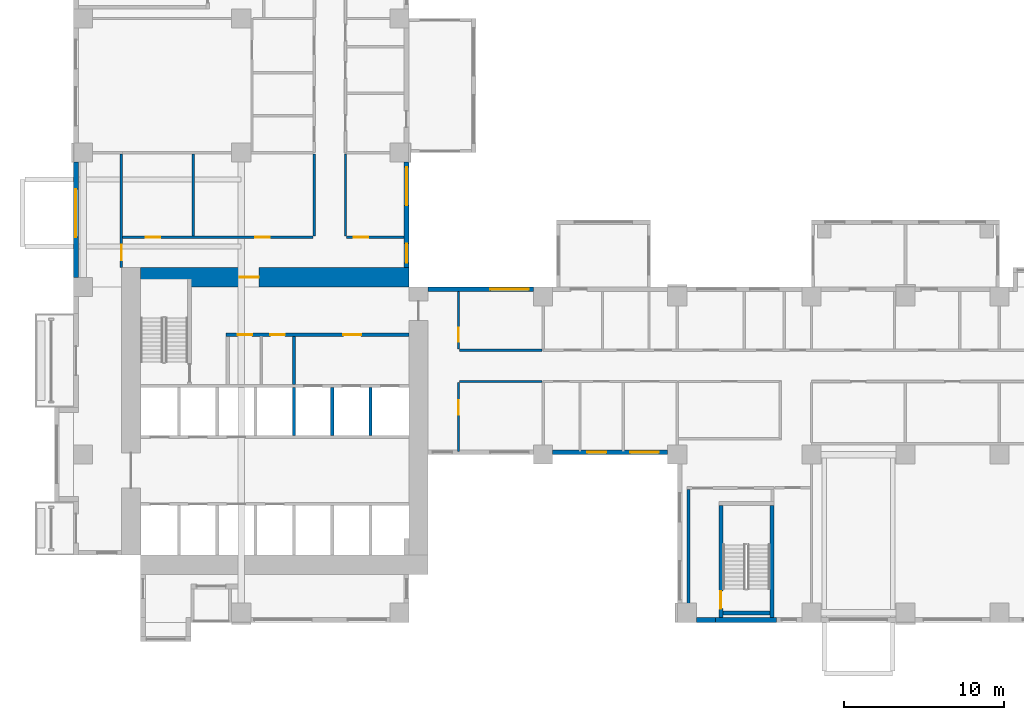
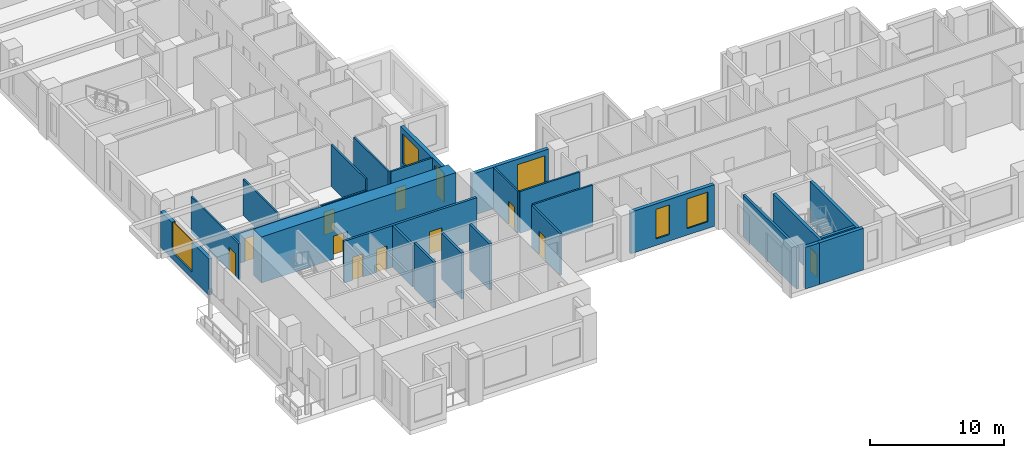
# One storey, part 3 of 14: 26 walls, 11 doors, 6 windows, 17 openings.
"""IFC4 building model written with IfcOpenShell, lengths in metres."""

import ifcopenshell
import ifcopenshell.guid

model = None  # the IFC model being written
_history = None  # IfcOwnerHistory: only IFC2X3 demands one
_inside = {}  # id of a spatial element -> (the spatial element, [elements in it])
_under = {}  # id of a project, library or spatial element -> (it, [spatial elements below it])
_declared = {}  # id of a project -> (the project, [libraries it declares])
_typed = {}  # id of a type object -> (the type object, [elements of that type])
_made_of = {}  # id of a material, layer set ... -> (it, [elements and type objects made of it])


def new_model(schema):
    """Start an empty IFC model of exactly this schema.

    Asked for "IFC4X3", IfcOpenShell would pick the latest addendum, in which some entities
    have other attributes; the version numbers below select the first issue.
    IFC2X3 requires an IfcOwnerHistory on every rooted entity: one is made here for all.
    """
    global model, _history
    if schema == "IFC4X3":
        model = ifcopenshell.file(schema_version=(4, 3, 0, 0))
    else:
        model = ifcopenshell.file(schema=schema)
    _inside.clear()
    _under.clear()
    _declared.clear()
    _typed.clear()
    _made_of.clear()
    _history = None
    if model.schema == "IFC2X3":
        org = make("IfcOrganization", Name="unknown")
        user = make(
            "IfcPersonAndOrganization",
            ThePerson=make("IfcPerson", FamilyName="unknown"),
            TheOrganization=org,
        )
        app = make(
            "IfcApplication",
            ApplicationDeveloper=org,
            Version="unknown",
            ApplicationFullName="unknown",
            ApplicationIdentifier="unknown",
        )
        _history = make(
            "IfcOwnerHistory",
            OwningUser=user,
            OwningApplication=app,
            ChangeAction="ADDED",
            CreationDate=0,
        )
    return model


def make(cls, **values):
    """One entity of the class cls with the attributes given. An attribute that is None is left unset."""
    return model.create_entity(
        cls, **{name: value for name, value in values.items() if value is not None}
    )


def rooted(cls, **values):
    """An entity with a GlobalId (a new one), such as an element, a storey or a relation."""
    return make(cls, GlobalId=ifcopenshell.guid.new(), OwnerHistory=_history, **values)


def si_unit(unit_type, name, prefix=None):
    """IfcSIUnit, for example si_unit("LENGTHUNIT", "METRE", prefix="MILLI")."""
    return make("IfcSIUnit", UnitType=unit_type, Prefix=prefix, Name=name)


def assignment(units):
    """IfcUnitAssignment: the units of a project."""
    return None if units is None else make("IfcUnitAssignment", Units=units)


def point(xyz):
    """IfcCartesianPoint."""
    return None if xyz is None else make("IfcCartesianPoint", Coordinates=xyz)


def direction(xyz):
    """IfcDirection."""
    return None if xyz is None else make("IfcDirection", DirectionRatios=xyz)


def frame(location, z_axis=None, x_axis=None):
    """IfcAxis2Placement3D, a coordinate frame: its origin and axes. An axis left out is left unset."""
    return make(
        "IfcAxis2Placement3D",
        Location=point(location),
        Axis=direction(z_axis),
        RefDirection=direction(x_axis),
    )


def frame_2d(location, x_axis=None):
    """IfcAxis2Placement2D, a coordinate frame in the plane: its origin and x axis."""
    return make(
        "IfcAxis2Placement2D", Location=point(location), RefDirection=direction(x_axis)
    )


def origin():
    """The frame at (0, 0, 0) with its axes left unset."""
    return frame((0.0, 0.0, 0.0))


def place(relative_to, where):
    """IfcLocalPlacement: puts the frame where relative to a parent placement (None: the world)."""
    return make(
        "IfcLocalPlacement", PlacementRelTo=relative_to, RelativePlacement=where
    )


def context(
    kind, dimensions, precision=None, world=None, true_north=None, identifier=None
):
    """IfcGeometricRepresentationContext, for example the 3D "Model" context."""
    return make(
        "IfcGeometricRepresentationContext",
        ContextIdentifier=identifier,
        ContextType=kind,
        CoordinateSpaceDimension=dimensions,
        Precision=precision,
        WorldCoordinateSystem=world,
        TrueNorth=true_north,
    )


def subcontext(parent, identifier, kind, view, scale=None):
    """IfcGeometricRepresentationSubContext, for example "Body" below "Model"."""
    return make(
        "IfcGeometricRepresentationSubContext",
        ContextIdentifier=identifier,
        ContextType=kind,
        ParentContext=parent,
        TargetScale=scale,
        TargetView=view,
    )


def project(units=None, contexts=None):
    """IfcProject with its units and contexts."""
    return rooted(
        "IfcProject",
        Name="project",
        RepresentationContexts=contexts,
        UnitsInContext=assignment(units),
    )


def spatial(cls, under=None, at=None, **own):
    """A site, building, storey or space (cls), placed at a placement, below another one or the project."""
    s = rooted(cls, ObjectPlacement=at, **own)
    if under is not None:
        _under.setdefault(under.id(), (under, []))[1].append(s)
    return s


def profile(cls, at=None, kind="AREA", **sizes):
    """A parametric profile (cls). Its sizes go by their IFC names, for example OverallWidth=200.0."""
    return make(cls, ProfileType=kind, Position=at, **sizes)


def rectangle(**sizes):
    """IfcRectangleProfileDef."""
    return profile("IfcRectangleProfileDef", **sizes)


def extrude(swept, where, along, depth):
    """IfcExtrudedAreaSolid: the profile swept, set in the frame where, extruded along a direction by depth."""
    return make(
        "IfcExtrudedAreaSolid",
        SweptArea=swept,
        Position=where,
        ExtrudedDirection=direction(along),
        Depth=depth,
    )


def shape(context_of_items, identifier, shape_type, items):
    """IfcShapeRepresentation: the items that make up one representation, for example the "Body"."""
    return make(
        "IfcShapeRepresentation",
        ContextOfItems=context_of_items,
        RepresentationIdentifier=identifier,
        RepresentationType=shape_type,
        Items=items,
    )


def source(mapping_origin, context_of_items, identifier, shape_type, items):
    """IfcRepresentationMap: a shape defined once, which mapped items show again and again."""
    return make(
        "IfcRepresentationMap",
        MappingOrigin=mapping_origin,
        MappedRepresentation=shape(context_of_items, identifier, shape_type, items),
    )


def transform(
    local_origin,
    x_axis=None,
    y_axis=None,
    z_axis=None,
    scale=None,
    scale2=None,
    scale3=None,
    uniform=True,
):
    """IfcCartesianTransformationOperator3D, or its non-uniform kind. x_axis, y_axis, z_axis: its Axis1, 2, 3."""
    if uniform:
        return make(
            "IfcCartesianTransformationOperator3D",
            Axis1=direction(x_axis),
            Axis2=direction(y_axis),
            LocalOrigin=point(local_origin),
            Scale=scale,
            Axis3=direction(z_axis),
        )
    return make(
        "IfcCartesianTransformationOperator3DnonUniform",
        Axis1=direction(x_axis),
        Axis2=direction(y_axis),
        LocalOrigin=point(local_origin),
        Scale=scale,
        Axis3=direction(z_axis),
        Scale2=scale2,
        Scale3=scale3,
    )


def mapped(mapping_source, mapping_target):
    """IfcMappedItem: shows the shape of a source again, moved by a transform."""
    return make(
        "IfcMappedItem", MappingSource=mapping_source, MappingTarget=mapping_target
    )


def material(Name=None, Category=None):
    """IfcMaterial."""
    return make("IfcMaterial", Name=Name, Category=Category)


def layer(
    of_material, thickness, ventilated=None, Name=None, Category=None, Priority=None
):
    """IfcMaterialLayer: one layer of a wall or slab, of a material (None: an air gap)."""
    return make(
        "IfcMaterialLayer",
        Material=of_material,
        LayerThickness=thickness,
        IsVentilated=ventilated,
        Name=Name,
        Category=Category,
        Priority=Priority,
    )


def layer_set(layers, Name=None):
    """IfcMaterialLayerSet."""
    return make("IfcMaterialLayerSet", MaterialLayers=layers, LayerSetName=Name)


def made_of(thing, what):
    """Note that an element or type object is made of a material, layer set ...; save() writes the relation."""
    if what is not None:
        _made_of.setdefault(what.id(), (what, []))[1].append(thing)
    return thing


def type_object(cls, material=None, **own):
    """A type object (cls), such as IfcWallType, which elements share."""
    return made_of(rooted(cls, **own), material)


def element(
    cls,
    number,
    at=None,
    inside=None,
    cuts=None,
    type_object=None,
    material=None,
    context=None,
    identifier="Body",
    shape_type=None,
    held_by="IfcProductDefinitionShape",
    body=None,
    shapes=None,
    **own,
):
    """One element of the class cls, such as IfcWall. Its Tag is "e" and its number.

    at: its placement. inside: the storey or other place that contains it. cuts: it is an
    opening in that element (IfcRelVoidsElement). A single representation is given by context,
    identifier, shape_type and body (its items); several are given by shapes. held_by: the class
    of the entity that holds the representations. save() writes the other relations.
    """
    e = rooted(cls, Tag="e%d" % number, ObjectPlacement=at, **own)
    if body is not None:
        shapes = [shape(context, identifier, shape_type, body)]
    if shapes is not None:
        e.Representation = make(held_by, Representations=shapes)
    if inside is not None:
        _inside.setdefault(inside.id(), (inside, []))[1].append(e)
    if cuts is not None:
        rooted(
            "IfcRelVoidsElement", RelatingBuildingElement=cuts, RelatedOpeningElement=e
        )
    if type_object is not None:
        _typed.setdefault(type_object.id(), (type_object, []))[1].append(e)
    return made_of(e, material)


def fill(opening, filler):
    """IfcRelFillsElement: the door or window that sits in an opening."""
    return rooted(
        "IfcRelFillsElement",
        RelatingOpeningElement=opening,
        RelatedBuildingElement=filler,
    )


def aggregate(whole, parts):
    """IfcRelAggregates: a whole, such as a stair, and the parts it consists of."""
    return rooted("IfcRelAggregates", RelatingObject=whole, RelatedObjects=parts)


def save(model, path):
    """Write the relations noted so far, then the file.

    IfcRelAggregates (storeys below a building ...), IfcRelContainedInSpatialStructure (elements
    in a storey), IfcRelDefinesByType, IfcRelAssociatesMaterial and IfcRelDeclares: one each for
    every whole, place, type object, material and project.
    """
    for whole, parts in _under.values():
        aggregate(whole, parts)
    for where, things in _inside.values():
        rooted(
            "IfcRelContainedInSpatialStructure",
            RelatedElements=things,
            RelatingStructure=where,
        )
    for kind, things in _typed.values():
        rooted("IfcRelDefinesByType", RelatedObjects=things, RelatingType=kind)
    for what, things in _made_of.values():
        rooted("IfcRelAssociatesMaterial", RelatedObjects=things, RelatingMaterial=what)
    for by, libraries in _declared.values():
        rooted("IfcRelDeclares", RelatingContext=by, RelatedDefinitions=libraries)
    model.write(path)


model = new_model("IFC4")

# Units and contexts
model_context = context("Model", 3, precision=1e-05, world=origin(), true_north=direction((0.0, 1.0)))
body_context = subcontext(model_context, "Body", "Model", "MODEL_VIEW")
ifc_project = project(units=[si_unit("LENGTHUNIT", "METRE"), si_unit("AREAUNIT", "SQUARE_METRE"), si_unit("VOLUMEUNIT", "CUBIC_METRE"), si_unit("PLANEANGLEUNIT", "RADIAN"), si_unit("MASSUNIT", "GRAM", prefix="KILO")], contexts=[model_context])

# Site, building, storey
site_placement = place(None, origin())
site = spatial("IfcSite", under=ifc_project, at=site_placement, CompositionType="ELEMENT")
building_placement = place(site_placement, origin())
building = spatial("IfcBuilding", under=site, at=building_placement, Name="Aurelian Terraces", CompositionType="ELEMENT")
storey_placement = place(building_placement, frame((0.0, 0.0, 53.1)))
storey = spatial("IfcBuildingStorey", under=building, at=storey_placement, Name="L10", CompositionType="ELEMENT", Elevation=53.1)

# Wall, opening, door
ifc_material_1 = material(Name="Concrete fc' 83 MPa", Category="concrete")
ifc_layer_1 = layer(ifc_material_1, 1.2)
ifc_layer_set_1 = layer_set([ifc_layer_1], Name="CORE WALL 1200 FC83")
wall_type_1 = type_object("IfcWallType", Name="CORE WALL 1200 FC83", PredefinedType="SHEAR", material=ifc_layer_set_1)
shared_shape_1 = source(origin(), body_context, "Body", "SweptSolid", [
    extrude(rectangle(XDim=16.8, YDim=1.2, at=frame_2d((8.4, 0.0))), origin(), (0.0, 0.0, 1.0), 4.2),
])
wall_1_placement = place(storey_placement, frame((4.2, 21.6, 0.0), z_axis=(0.0, 0.0, 1.0), x_axis=(1.0, 0.0, 0.0)))
wall_1 = element("IfcWall", 1, at=wall_1_placement, inside=storey, type_object=wall_type_1, Name="Core wall N L10", PredefinedType="SHEAR", context=body_context, shape_type="MappedRepresentation", body=[
    mapped(shared_shape_1, transform((0.0, 0.0, 0.0), scale=1.0)),
])
shared_shape_2 = source(origin(), body_context, "Body", "SweptSolid", [
    extrude(rectangle(XDim=1.2, YDim=2.1, at=frame_2d((0.6, 1.05))), frame((0.0, 0.61, 0.0), z_axis=(0.0, -1.0, 0.0), x_axis=(1.0, 0.0, 0.0)), (0.0, 0.0, 1.0), 1.22),
])
opening_1_placement = place(wall_1_placement, frame((6.2, 0.0, 0.0)))
opening_1 = element("IfcOpeningElement", 2, at=opening_1_placement, cuts=wall_1, Name="Opening 61321", PredefinedType="OPENING", context=body_context, shape_type="MappedRepresentation", body=[
    mapped(shared_shape_2, transform((0.0, 0.0, 0.0), scale=1.0)),
])
ifc_material_2 = material(Name="Steel door leaf", Category="steel")
door_type_1 = type_object("IfcDoorType", Name="Core fire door 1200x2100", OperationType="SINGLE_SWING_LEFT", PredefinedType="DOOR", material=ifc_material_2)
shared_shape_3 = source(origin(), body_context, "Body", "SweptSolid", [
    extrude(rectangle(XDim=1.2, YDim=2.1, at=frame_2d((0.6, 1.05))), frame((0.0, 0.025, 0.0), z_axis=(0.0, -1.0, 0.0), x_axis=(1.0, 0.0, 0.0)), (0.0, 0.0, 1.0), 0.05),
])
door_1_placement = place(opening_1_placement, origin())
door_1 = element("IfcDoor", 3, at=door_1_placement, inside=storey, type_object=door_type_1, Name="Core door 61321", OperationType="SINGLE_SWING_LEFT", OverallHeight=2.1, OverallWidth=1.2, PredefinedType="DOOR", context=body_context, shape_type="MappedRepresentation", body=[
    mapped(shared_shape_3, transform((0.0, 0.0, 0.0), scale=1.0)),
])
fill(opening_1, door_1)

# Wall, openings, windows
ifc_material_3 = material(Name="Terracotta rainscreen cladding", Category="masonry")
ifc_layer_2 = layer(ifc_material_3, 0.3)
ifc_layer_set_2 = layer_set([ifc_layer_2], Name="EW-300")
wall_type_2 = type_object("IfcWallType", Name="EW-300", PredefinedType="STANDARD", material=ifc_layer_set_2)
shared_shape_4 = source(origin(), body_context, "Body", "SweptSolid", [
    extrude(rectangle(XDim=7.2, YDim=0.3, at=frame_2d((3.6, 0.0))), origin(), (0.0, 0.0, 1.0), 3.8),
])
wall_2_placement = place(storey_placement, frame((30.0, 10.65, 0.0), z_axis=(0.0, 0.0, 1.0), x_axis=(1.0, 0.0, 0.0)))
wall_2 = element("IfcWall", 4, at=wall_2_placement, inside=storey, type_object=wall_type_2, Name="External wall L10 F03.7", PredefinedType="STANDARD", context=body_context, shape_type="MappedRepresentation", body=[
    mapped(shared_shape_4, transform((0.0, 0.0, 0.0), scale=1.0)),
])
shared_shape_5 = source(origin(), body_context, "Body", "SweptSolid", [
    extrude(rectangle(XDim=1.8, YDim=2.7, at=frame_2d((0.9, 1.35))), frame((0.0, 0.16, 0.0), z_axis=(0.0, -1.0, 0.0), x_axis=(1.0, 0.0, 0.0)), (0.0, 0.0, 1.0), 0.32),
])
opening_2_placement = place(wall_2_placement, frame((4.839, 0.0, 0.6)))
opening_2 = element("IfcOpeningElement", 5, at=opening_2_placement, cuts=wall_2, Name="Opening W1827", PredefinedType="OPENING", context=body_context, shape_type="MappedRepresentation", body=[
    mapped(shared_shape_5, transform((0.0, 0.0, 0.0), scale=1.0)),
])
shared_shape_6 = source(origin(), body_context, "Body", "SweptSolid", [
    extrude(rectangle(XDim=1.2, YDim=2.7, at=frame_2d((0.6, 1.35))), frame((0.0, 0.16, 0.0), z_axis=(0.0, -1.0, 0.0), x_axis=(1.0, 0.0, 0.0)), (0.0, 0.0, 1.0), 0.32),
])
opening_3_placement = place(wall_2_placement, frame((2.1523, 0.0, 0.6)))
opening_3 = element("IfcOpeningElement", 6, at=opening_3_placement, cuts=wall_2, Name="Opening W1227", PredefinedType="OPENING", context=body_context, shape_type="MappedRepresentation", body=[
    mapped(shared_shape_6, transform((0.0, 0.0, 0.0), scale=1.0)),
])
ifc_material_4 = material(Name="Clear glazing", Category="glass")
window_type_1 = type_object("IfcWindowType", Name="W-1800x2700", PartitioningType="SINGLE_PANEL", PredefinedType="WINDOW", material=ifc_material_4)
shared_shape_7 = source(origin(), body_context, "Body", "SweptSolid", [
    extrude(rectangle(XDim=1.8, YDim=2.7, at=frame_2d((0.9, 1.35))), frame((0.0, 0.03, 0.0), z_axis=(0.0, -1.0, 0.0), x_axis=(1.0, 0.0, 0.0)), (0.0, 0.0, 1.0), 0.06),
])
window_1_placement = place(opening_2_placement, origin())
window_1 = element("IfcWindow", 7, at=window_1_placement, inside=storey, type_object=window_type_1, Name="Window L10 L10-F03-07-1", OverallHeight=2.7, OverallWidth=1.8, PartitioningType="SINGLE_PANEL", PredefinedType="WINDOW", context=body_context, shape_type="MappedRepresentation", body=[
    mapped(shared_shape_7, transform((0.0, 0.0, 0.0), scale=1.0)),
])
fill(opening_2, window_1)
window_type_2 = type_object("IfcWindowType", Name="W-1200x2700", PartitioningType="SINGLE_PANEL", PredefinedType="WINDOW", material=ifc_material_4)
shared_shape_8 = source(origin(), body_context, "Body", "SweptSolid", [
    extrude(rectangle(XDim=1.2, YDim=2.7, at=frame_2d((0.6, 1.35))), frame((0.0, 0.03, 0.0), z_axis=(0.0, -1.0, 0.0), x_axis=(1.0, 0.0, 0.0)), (0.0, 0.0, 1.0), 0.06),
])
window_2_placement = place(opening_3_placement, origin())
window_2 = element("IfcWindow", 8, at=window_2_placement, inside=storey, type_object=window_type_2, Name="Window L10 L10-F03-07-G0-6", OverallHeight=2.7, OverallWidth=1.2, PartitioningType="SINGLE_PANEL", PredefinedType="WINDOW", context=body_context, shape_type="MappedRepresentation", body=[
    mapped(shared_shape_8, transform((0.0, 0.0, 0.0), scale=1.0)),
])
fill(opening_3, window_2)

# Walls
shared_shape_9 = source(origin(), body_context, "Body", "SweptSolid", [
    extrude(rectangle(XDim=1.2, YDim=0.3, at=frame_2d((0.6, 0.0))), origin(), (0.0, 0.0, 1.0), 3.8),
])
wall_3_placement = place(storey_placement, frame((39.0, 0.15, 0.0), z_axis=(0.0, 0.0, 1.0), x_axis=(1.0, 0.0, 0.0)))
element("IfcWall", 9, at=wall_3_placement, inside=storey, type_object=wall_type_2, Name="External wall L10 F05.9", PredefinedType="STANDARD", context=body_context, shape_type="MappedRepresentation", body=[
    mapped(shared_shape_9, transform((0.0, 0.0, 0.0), scale=1.0)),
])
ifc_material_5 = material(Name="Concrete fc' 40 MPa", Category="concrete")
ifc_layer_3 = layer(ifc_material_5, 0.3)
ifc_layer_set_3 = layer_set([ifc_layer_3], Name="STAIR BAY WALL 300")
wall_type_3 = type_object("IfcWallType", Name="STAIR BAY WALL 300", PredefinedType="SOLIDWALL", material=ifc_layer_set_3)
shared_shape_10 = source(origin(), body_context, "Body", "SweptSolid", [
    extrude(rectangle(XDim=3.8, YDim=0.3, at=frame_2d((1.9, 0.0))), origin(), (0.0, 0.0, 1.0), 3.8),
])
wall_4_placement = place(storey_placement, frame((40.2, 0.15, 0.0), z_axis=(0.0, 0.0, 1.0), x_axis=(1.0, 0.0, 0.0)))
element("IfcWall", 10, at=wall_4_placement, inside=storey, type_object=wall_type_3, Name="Stair bay wall L10 F05.9", PredefinedType="SOLIDWALL", context=body_context, shape_type="MappedRepresentation", body=[
    mapped(shared_shape_10, transform((0.0, 0.0, 0.0), scale=1.0)),
])

# Wall, opening, window
shared_shape_11 = source(origin(), body_context, "Body", "SweptSolid", [
    extrude(rectangle(XDim=7.2, YDim=0.3, at=frame_2d((3.6, 0.0))), origin(), (0.0, 0.0, 1.0), 3.3),
])
wall_5_placement = place(storey_placement, frame((0.15, 28.8, 0.0), z_axis=(0.0, 0.0, 1.0), x_axis=(0.0, -1.0, 0.0)))
wall_5 = element("IfcWall", 11, at=wall_5_placement, inside=storey, type_object=wall_type_2, Name="External wall L10 F18.39", PredefinedType="STANDARD", context=body_context, shape_type="MappedRepresentation", body=[
    mapped(shared_shape_11, transform((0.0, 0.0, 0.0), scale=1.0)),
])
shared_shape_12 = source(origin(), body_context, "Body", "SweptSolid", [
    extrude(rectangle(XDim=3.0, YDim=2.7, at=frame_2d((1.5, 1.35))), frame((0.0, 0.16, 0.0), z_axis=(0.0, -1.0, 0.0), x_axis=(1.0, 0.0, 0.0)), (0.0, 0.0, 1.0), 0.32),
])
opening_4_placement = place(wall_5_placement, frame((1.68, 0.0, 0.6)))
opening_4 = element("IfcOpeningElement", 12, at=opening_4_placement, cuts=wall_5, Name="Opening W3027", PredefinedType="OPENING", context=body_context, shape_type="MappedRepresentation", body=[
    mapped(shared_shape_12, transform((0.0, 0.0, 0.0), scale=1.0)),
])
window_type_3 = type_object("IfcWindowType", Name="W-3000x2700", PartitioningType="SINGLE_PANEL", PredefinedType="WINDOW", material=ifc_material_4)
shared_shape_13 = source(origin(), body_context, "Body", "SweptSolid", [
    extrude(rectangle(XDim=3.0, YDim=2.7, at=frame_2d((1.5, 1.35))), frame((0.0, 0.03, 0.0), z_axis=(0.0, -1.0, 0.0), x_axis=(1.0, 0.0, 0.0)), (0.0, 0.0, 1.0), 0.06),
])
window_3_placement = place(opening_4_placement, origin())
window_3 = element("IfcWindow", 13, at=window_3_placement, inside=storey, type_object=window_type_3, Name="Window L10 L10-F18-39-8", OverallHeight=2.7, OverallWidth=3.0, PartitioningType="SINGLE_PANEL", PredefinedType="WINDOW", context=body_context, shape_type="MappedRepresentation", body=[
    mapped(shared_shape_13, transform((0.0, 0.0, 0.0), scale=1.0)),
])
fill(opening_4, window_3)

shared_shape_14 = source(origin(), body_context, "Body", "SweptSolid", [
    extrude(rectangle(XDim=6.6, YDim=0.3, at=frame_2d((3.3, 0.0))), origin(), (0.0, 0.0, 1.0), 3.8),
])
wall_6_placement = place(storey_placement, frame((28.8, 20.85, 0.0), z_axis=(0.0, 0.0, 1.0), x_axis=(-1.0, 0.0, 0.0)))
wall_6 = element("IfcWall", 14, at=wall_6_placement, inside=storey, type_object=wall_type_2, Name="External wall L10 F11.24", PredefinedType="STANDARD", context=body_context, shape_type="MappedRepresentation", body=[
    mapped(shared_shape_14, transform((0.0, 0.0, 0.0), scale=1.0)),
])
shared_shape_15 = source(origin(), body_context, "Body", "SweptSolid", [
    extrude(rectangle(XDim=2.4, YDim=2.7, at=frame_2d((1.2, 1.35))), frame((0.0, 0.16, 0.0), z_axis=(0.0, -1.0, 0.0), x_axis=(1.0, 0.0, 0.0)), (0.0, 0.0, 1.0), 0.32),
])
opening_5_placement = place(wall_6_placement, frame((0.3, 0.0, 0.6)))
opening_5 = element("IfcOpeningElement", 15, at=opening_5_placement, cuts=wall_6, Name="Opening W2427", PredefinedType="OPENING", context=body_context, shape_type="MappedRepresentation", body=[
    mapped(shared_shape_15, transform((0.0, 0.0, 0.0), scale=1.0)),
])
window_type_4 = type_object("IfcWindowType", Name="W-2400x2700", PartitioningType="SINGLE_PANEL", PredefinedType="WINDOW", material=ifc_material_4)
shared_shape_16 = source(origin(), body_context, "Body", "SweptSolid", [
    extrude(rectangle(XDim=2.4, YDim=2.7, at=frame_2d((1.2, 1.35))), frame((0.0, 0.03, 0.0), z_axis=(0.0, -1.0, 0.0), x_axis=(1.0, 0.0, 0.0)), (0.0, 0.0, 1.0), 0.06),
])
window_4_placement = place(opening_5_placement, origin())
window_4 = element("IfcWindow", 16, at=window_4_placement, inside=storey, type_object=window_type_4, Name="Window L10 L10-F11-24-3", OverallHeight=2.7, OverallWidth=2.4, PartitioningType="SINGLE_PANEL", PredefinedType="WINDOW", context=body_context, shape_type="MappedRepresentation", body=[
    mapped(shared_shape_16, transform((0.0, 0.0, 0.0), scale=1.0)),
])
fill(opening_5, window_4)

# Wall, openings, windows
wall_7_placement = place(storey_placement, frame((20.85, 22.2, 0.0), z_axis=(0.0, 0.0, 1.0), x_axis=(0.0, 1.0, 0.0)))
wall_7 = element("IfcWall", 17, at=wall_7_placement, inside=storey, type_object=wall_type_2, Name="External wall L10 F12.25", PredefinedType="STANDARD", context=body_context, shape_type="MappedRepresentation", body=[
    mapped(shared_shape_14, transform((0.0, 0.0, 0.0), scale=1.0)),
])
opening_6_placement = place(wall_7_placement, frame((0.3, 0.0, 0.6)))
opening_6 = element("IfcOpeningElement", 18, at=opening_6_placement, cuts=wall_7, Name="Opening W1227", PredefinedType="OPENING", context=body_context, shape_type="MappedRepresentation", body=[
    mapped(shared_shape_6, transform((0.0, 0.0, 0.0), scale=1.0)),
])
opening_7_placement = place(wall_7_placement, frame((3.9, 0.0, 0.6)))
opening_7 = element("IfcOpeningElement", 19, at=opening_7_placement, cuts=wall_7, Name="Opening W2427", PredefinedType="OPENING", context=body_context, shape_type="MappedRepresentation", body=[
    mapped(shared_shape_15, transform((0.0, 0.0, 0.0), scale=1.0)),
])
window_5_placement = place(opening_7_placement, origin())
window_5 = element("IfcWindow", 20, at=window_5_placement, inside=storey, type_object=window_type_4, Name="Window L10 L10-F12-25-1", OverallHeight=2.7, OverallWidth=2.4, PartitioningType="SINGLE_PANEL", PredefinedType="WINDOW", context=body_context, shape_type="MappedRepresentation", body=[
    mapped(shared_shape_16, transform((0.0, 0.0, 0.0), scale=1.0)),
])
fill(opening_7, window_5)
window_6_placement = place(opening_6_placement, origin())
window_6 = element("IfcWindow", 21, at=window_6_placement, inside=storey, type_object=window_type_2, Name="Window L10 L10-F12-25-0", OverallHeight=2.7, OverallWidth=1.2, PartitioningType="SINGLE_PANEL", PredefinedType="WINDOW", context=body_context, shape_type="MappedRepresentation", body=[
    mapped(shared_shape_8, transform((0.0, 0.0, 0.0), scale=1.0)),
])
fill(opening_6, window_6)

# Walls
ifc_layer_4 = layer(ifc_material_5, 0.2)
ifc_layer_set_4 = layer_set([ifc_layer_4], Name="Lift shaft wall 200")
wall_type_4 = type_object("IfcWallType", Name="Lift shaft wall 200", PredefinedType="SOLIDWALL", material=ifc_layer_set_4)
shared_shape_17 = source(origin(), body_context, "Body", "SweptSolid", [
    extrude(rectangle(XDim=3.0, YDim=0.2, at=frame_2d((1.5, 0.0))), origin(), (0.0, 0.0, 1.0), 4.2),
])
for number, where, z_axis, x_axis, name in (
    (22, (13.8, 11.7, 0.0), (0.0, 0.0, 1.0), (0.0, 1.0, 0.0), "L10 core wall CD-B4"),
    (23, (16.2, 11.7, 0.0), (0.0, 0.0, 1.0), (0.0, 1.0, 0.0), "L10 core wall CD-B5"),
    (24, (18.6, 11.7, 0.0), (0.0, 0.0, 1.0), (0.0, 1.0, 0.0), "L10 core wall CD-B6"),
):
    element("IfcWall", number, at=place(storey_placement, frame(where, z_axis=z_axis, x_axis=x_axis)), inside=storey, type_object=wall_type_4, Name=name, PredefinedType="SOLIDWALL", context=body_context, shape_type="MappedRepresentation", body=[
        mapped(shared_shape_17, transform((0.0, 0.0, 0.0), scale=1.0)),
    ])
ifc_material_6 = material(Name="Gypsum board on steel studs", Category="steel")
ifc_layer_5 = layer(ifc_material_6, 0.2)
ifc_layer_set_5 = layer_set([ifc_layer_5], Name="Core partition 200")
wall_type_5 = type_object("IfcWallType", Name="Core partition 200", PredefinedType="PARTITIONING", material=ifc_layer_set_5)
shared_shape_18 = source(origin(), body_context, "Body", "SweptSolid", [
    extrude(rectangle(XDim=3.0, YDim=0.2, at=frame_2d((1.5, 0.0))), origin(), (0.0, 0.0, 1.0), 3.8),
])
wall_8_placement = place(storey_placement, frame((13.8, 14.9, 0.0), z_axis=(0.0, 0.0, 1.0), x_axis=(0.0, 1.0, 0.0)))
element("IfcWall", 25, at=wall_8_placement, inside=storey, type_object=wall_type_5, Name="L10 core wall CP-FFL", PredefinedType="PARTITIONING", context=body_context, shape_type="MappedRepresentation", body=[
    mapped(shared_shape_18, transform((0.0, 0.0, 0.0), scale=1.0)),
])

# Wall, opening, door
ifc_layer_6 = layer(ifc_material_5, 0.25)
ifc_layer_set_6 = layer_set([ifc_layer_6], Name="Stair enclosure wall 250")
wall_type_6 = type_object("IfcWallType", Name="Stair enclosure wall 250", PredefinedType="SOLIDWALL", material=ifc_layer_set_6)
shared_shape_19 = source(origin(), body_context, "Body", "SweptSolid", [
    extrude(rectangle(XDim=7.0, YDim=0.25, at=frame_2d((3.5, 0.0))), origin(), (0.0, 0.0, 1.0), 3.8),
])
wall_9_placement = place(storey_placement, frame((40.525, 0.3, 0.0), z_axis=(0.0, 0.0, 1.0), x_axis=(0.0, 1.0, 0.0)))
wall_9 = element("IfcWall", 26, at=wall_9_placement, inside=storey, type_object=wall_type_6, Name="L10 core wall ST-S2-W", PredefinedType="SOLIDWALL", context=body_context, shape_type="MappedRepresentation", body=[
    mapped(shared_shape_19, transform((0.0, 0.0, 0.0), scale=1.0)),
])
shared_shape_20 = source(origin(), body_context, "Body", "SweptSolid", [
    extrude(rectangle(XDim=1.1, YDim=2.1, at=frame_2d((0.55, 1.05))), frame((0.0, 0.135, 0.0), z_axis=(0.0, -1.0, 0.0), x_axis=(1.0, 0.0, 0.0)), (0.0, 0.0, 1.0), 0.27),
])
opening_8_placement = place(wall_9_placement, frame((0.55, 0.0, 0.0)))
opening_8 = element("IfcOpeningElement", 27, at=opening_8_placement, cuts=wall_9, Name="Opening 61314", PredefinedType="OPENING", context=body_context, shape_type="MappedRepresentation", body=[
    mapped(shared_shape_20, transform((0.0, 0.0, 0.0), scale=1.0)),
])
door_type_2 = type_object("IfcDoorType", Name="Core fire door 1100x2100 right", OperationType="SINGLE_SWING_RIGHT", PredefinedType="DOOR", material=ifc_material_2)
shared_shape_21 = source(origin(), body_context, "Body", "SweptSolid", [
    extrude(rectangle(XDim=1.1, YDim=2.1, at=frame_2d((0.55, 1.05))), frame((0.0, 0.025, 0.0), z_axis=(0.0, -1.0, 0.0), x_axis=(1.0, 0.0, 0.0)), (0.0, 0.0, 1.0), 0.05),
])
door_2_placement = place(opening_8_placement, origin())
door_2 = element("IfcDoor", 28, at=door_2_placement, inside=storey, type_object=door_type_2, Name="Stair door 61314", OperationType="SINGLE_SWING_RIGHT", OverallHeight=2.1, OverallWidth=1.1, PredefinedType="DOOR", context=body_context, shape_type="MappedRepresentation", body=[
    mapped(shared_shape_21, transform((0.0, 0.0, 0.0), scale=1.0)),
])
fill(opening_8, door_2)

# Walls
wall_10_placement = place(storey_placement, frame((43.725, 0.3, 0.0), z_axis=(0.0, 0.0, 1.0), x_axis=(0.0, 1.0, 0.0)))
element("IfcWall", 29, at=wall_10_placement, inside=storey, type_object=wall_type_6, Name="L10 core wall ST-S2-E", PredefinedType="SOLIDWALL", context=body_context, shape_type="MappedRepresentation", body=[
    mapped(shared_shape_19, transform((0.0, 0.0, 0.0), scale=1.0)),
])
shared_shape_22 = source(origin(), body_context, "Body", "SweptSolid", [
    extrude(rectangle(XDim=2.95, YDim=0.25, at=frame_2d((1.475, 0.0))), origin(), (0.0, 0.0, 1.0), 3.8),
])
wall_11_placement = place(storey_placement, frame((40.65, 0.575, 0.0), z_axis=(0.0, 0.0, 1.0), x_axis=(1.0, 0.0, 0.0)))
element("IfcWall", 30, at=wall_11_placement, inside=storey, type_object=wall_type_6, Name="L10 core wall ST-S2-SS", PredefinedType="SOLIDWALL", context=body_context, shape_type="MappedRepresentation", body=[
    mapped(shared_shape_22, transform((0.0, 0.0, 0.0), scale=1.0)),
])
shared_shape_23 = source(origin(), body_context, "Body", "SweptSolid", [
    extrude(rectangle(XDim=8.0, YDim=0.2, at=frame_2d((4.0, 0.0))), origin(), (0.0, 0.0, 1.0), 3.8),
])
wall_12_placement = place(storey_placement, frame((38.5, 0.3, 0.0), z_axis=(0.0, 0.0, 1.0), x_axis=(0.0, 1.0, 0.0)))
element("IfcWall", 31, at=wall_12_placement, inside=storey, type_object=wall_type_5, Name="L10 core wall ST-S2-VW", PredefinedType="PARTITIONING", context=body_context, shape_type="MappedRepresentation", body=[
    mapped(shared_shape_23, transform((0.0, 0.0, 0.0), scale=1.0)),
])

# Wall, openings, doors
shared_shape_24 = source(origin(), body_context, "Body", "SweptSolid", [
    extrude(rectangle(XDim=11.45, YDim=0.2, at=frame_2d((5.725, 0.0))), origin(), (0.0, 0.0, 1.0), 3.8),
])
wall_13_placement = place(storey_placement, frame((9.55, 18.0, 0.0), z_axis=(0.0, 0.0, 1.0), x_axis=(1.0, 0.0, 0.0)))
wall_13 = element("IfcWall", 32, at=wall_13_placement, inside=storey, type_object=wall_type_5, Name="L10 core wall CP-NORTH", PredefinedType="PARTITIONING", context=body_context, shape_type="MappedRepresentation", body=[
    mapped(shared_shape_24, transform((0.0, 0.0, 0.0), scale=1.0)),
])
shared_shape_25 = source(origin(), body_context, "Body", "SweptSolid", [
    extrude(rectangle(XDim=0.9, YDim=2.1, at=frame_2d((0.45, 1.05))), frame((0.0, 0.11, 0.0), z_axis=(0.0, -1.0, 0.0), x_axis=(1.0, 0.0, 0.0)), (0.0, 0.0, 1.0), 0.22),
])
opening_9_placement = place(wall_13_placement, frame((0.725, 0.0, 0.0)))
opening_9 = element("IfcOpeningElement", 33, at=opening_9_placement, cuts=wall_13, Name="Opening 61311", PredefinedType="OPENING", context=body_context, shape_type="MappedRepresentation", body=[
    mapped(shared_shape_25, transform((0.0, 0.0, 0.0), scale=1.0)),
])
opening_10_placement = place(wall_13_placement, frame((2.775, 0.0, 0.0)))
opening_10 = element("IfcOpeningElement", 34, at=opening_10_placement, cuts=wall_13, Name="Opening 61312", PredefinedType="OPENING", context=body_context, shape_type="MappedRepresentation", body=[
    mapped(shared_shape_25, transform((0.0, 0.0, 0.0), scale=1.0)),
])
shared_shape_26 = source(origin(), body_context, "Body", "SweptSolid", [
    extrude(rectangle(XDim=1.1, YDim=2.1, at=frame_2d((0.55, 1.05))), frame((0.0, 0.11, 0.0), z_axis=(0.0, -1.0, 0.0), x_axis=(1.0, 0.0, 0.0)), (0.0, 0.0, 1.0), 0.22),
])
opening_11_placement = place(wall_13_placement, frame((7.35, 0.0, 0.0)))
opening_11 = element("IfcOpeningElement", 35, at=opening_11_placement, cuts=wall_13, Name="Opening 61313", PredefinedType="OPENING", context=body_context, shape_type="MappedRepresentation", body=[
    mapped(shared_shape_26, transform((0.0, 0.0, 0.0), scale=1.0)),
])
door_type_3 = type_object("IfcDoorType", Name="Core service door 900x2100", OperationType="SINGLE_SWING_LEFT", PredefinedType="DOOR", material=ifc_material_2)
shared_shape_27 = source(origin(), body_context, "Body", "SweptSolid", [
    extrude(rectangle(XDim=0.9, YDim=2.1, at=frame_2d((0.45, 1.05))), frame((0.0, 0.025, 0.0), z_axis=(0.0, -1.0, 0.0), x_axis=(1.0, 0.0, 0.0)), (0.0, 0.0, 1.0), 0.05),
])
door_3_placement = place(opening_9_placement, origin())
door_3 = element("IfcDoor", 36, at=door_3_placement, inside=storey, type_object=door_type_3, Name="Room door 61311", OperationType="SINGLE_SWING_LEFT", OverallHeight=2.1, OverallWidth=0.9, PredefinedType="DOOR", context=body_context, shape_type="MappedRepresentation", body=[
    mapped(shared_shape_27, transform((0.0, 0.0, 0.0), scale=1.0)),
])
fill(opening_9, door_3)
door_type_4 = type_object("IfcDoorType", Name="Core service door 900x2100 right", OperationType="SINGLE_SWING_RIGHT", PredefinedType="DOOR", material=ifc_material_2)
door_4_placement = place(opening_10_placement, origin())
door_4 = element("IfcDoor", 37, at=door_4_placement, inside=storey, type_object=door_type_4, Name="Room door 61312", OperationType="SINGLE_SWING_RIGHT", OverallHeight=2.1, OverallWidth=0.9, PredefinedType="DOOR", context=body_context, shape_type="MappedRepresentation", body=[
    mapped(shared_shape_27, transform((0.0, 0.0, 0.0), scale=1.0)),
])
fill(opening_10, door_4)
door_type_5 = type_object("IfcDoorType", Name="Core fire door 1100x2100", OperationType="SINGLE_SWING_LEFT", PredefinedType="DOOR", material=ifc_material_2)
door_5_placement = place(opening_11_placement, origin())
door_5 = element("IfcDoor", 38, at=door_5_placement, inside=storey, type_object=door_type_5, Name="Ff lobby door 61313", OperationType="SINGLE_SWING_LEFT", OverallHeight=2.1, OverallWidth=1.1, PredefinedType="DOOR", context=body_context, shape_type="MappedRepresentation", body=[
    mapped(shared_shape_21, transform((0.0, 0.0, 0.0), scale=1.0)),
])
fill(opening_11, door_5)

# Walls
ifc_layer_7 = layer(ifc_material_6, 0.15)
ifc_layer_set_7 = layer_set([ifc_layer_7], Name="Fire partition 150")
wall_type_7 = type_object("IfcWallType", Name="Fire partition 150", PredefinedType="PARTITIONING", material=ifc_layer_set_7)
shared_shape_28 = source(origin(), body_context, "Body", "SweptSolid", [
    extrude(rectangle(XDim=5.15, YDim=0.15, at=frame_2d((2.575, 0.0))), origin(), (0.0, 0.0, 1.0), 3.8),
])
for number, where, z_axis, x_axis, name in (
    (39, (29.325, 15.075, 0.0), (0.0, 0.0, 1.0), (-1.0, 0.0, 0.0), "Corridor wall"),
    (40, (24.175, 17.025, 0.0), (0.0, 0.0, 1.0), (1.0, 0.0, 0.0), "Corridor wall"),
    (41, (15.075, 24.175, 0.0), (0.0, 0.0, 1.0), (0.0, 1.0, 0.0), "Corridor wall"),
    (42, (17.025, 29.325, 0.0), (0.0, 0.0, 1.0), (0.0, -1.0, 0.0), "Corridor wall"),
):
    element("IfcWall", number, at=place(storey_placement, frame(where, z_axis=z_axis, x_axis=x_axis)), inside=storey, type_object=wall_type_7, Name=name, PredefinedType="PARTITIONING", context=body_context, shape_type="MappedRepresentation", body=[
        mapped(shared_shape_28, transform((0.0, 0.0, 0.0), scale=1.0)),
    ])

# Wall, opening, door
ifc_layer_8 = layer(ifc_material_6, 0.15)
ifc_layer_set_8 = layer_set([ifc_layer_8], Name="Partition 150")
wall_type_8 = type_object("IfcWallType", Name="Partition 150", PredefinedType="PARTITIONING", material=ifc_layer_set_8)
shared_shape_29 = source(origin(), body_context, "Body", "SweptSolid", [
    extrude(rectangle(XDim=3.6, YDim=0.15, at=frame_2d((1.8, 0.0))), origin(), (0.0, 0.0, 1.0), 3.8),
])
wall_14_placement = place(storey_placement, frame((24.1, 20.7, 0.0), z_axis=(0.0, 0.0, 1.0), x_axis=(0.0, -1.0, 0.0)))
wall_14 = element("IfcWall", 43, at=wall_14_placement, inside=storey, type_object=wall_type_8, Name="Partition", PredefinedType="PARTITIONING", context=body_context, shape_type="MappedRepresentation", body=[
    mapped(shared_shape_29, transform((0.0, 0.0, 0.0), scale=1.0)),
])
shared_shape_30 = source(origin(), body_context, "Body", "SweptSolid", [
    extrude(rectangle(XDim=0.9, YDim=2.1, at=frame_2d((0.45, 1.05))), frame((0.0, 0.085, 0.0), z_axis=(0.0, -1.0, 0.0), x_axis=(1.0, 0.0, 0.0)), (0.0, 0.0, 1.0), 0.17),
])
opening_12_placement = place(wall_14_placement, frame((2.25, 0.0, 0.0)))
opening_12 = element("IfcOpeningElement", 44, at=opening_12_placement, cuts=wall_14, Name="Opening 710002", PredefinedType="OPENING", context=body_context, shape_type="MappedRepresentation", body=[
    mapped(shared_shape_30, transform((0.0, 0.0, 0.0), scale=1.0)),
])
ifc_material_7 = material(Name="Timber door leaf", Category="wood")
door_type_6 = type_object("IfcDoorType", Name="Room door 900x2100 left", OperationType="SINGLE_SWING_LEFT", PredefinedType="DOOR", material=ifc_material_7)
door_6_placement = place(opening_12_placement, origin())
door_6 = element("IfcDoor", 45, at=door_6_placement, inside=storey, type_object=door_type_6, Name="Door 710002", OperationType="SINGLE_SWING_LEFT", OverallHeight=2.1, OverallWidth=0.9, PredefinedType="DOOR", context=body_context, shape_type="MappedRepresentation", body=[
    mapped(shared_shape_27, transform((0.0, 0.0, 0.0), scale=1.0)),
])
fill(opening_12, door_6)

wall_15_placement = place(storey_placement, frame((17.1, 24.1, 0.0), z_axis=(0.0, 0.0, 1.0), x_axis=(1.0, 0.0, 0.0)))
wall_15 = element("IfcWall", 46, at=wall_15_placement, inside=storey, type_object=wall_type_8, Name="Partition", PredefinedType="PARTITIONING", context=body_context, shape_type="MappedRepresentation", body=[
    mapped(shared_shape_29, transform((0.0, 0.0, 0.0), scale=1.0)),
])
opening_13_placement = place(wall_15_placement, frame((0.45, 0.0, 0.0)))
opening_13 = element("IfcOpeningElement", 47, at=opening_13_placement, cuts=wall_15, Name="Opening 710028", PredefinedType="OPENING", context=body_context, shape_type="MappedRepresentation", body=[
    mapped(shared_shape_30, transform((0.0, 0.0, 0.0), scale=1.0)),
])
door_7_placement = place(opening_13_placement, origin())
door_7 = element("IfcDoor", 48, at=door_7_placement, inside=storey, type_object=door_type_6, Name="Door 710028", OperationType="SINGLE_SWING_LEFT", OverallHeight=2.1, OverallWidth=0.9, PredefinedType="DOOR", context=body_context, shape_type="MappedRepresentation", body=[
    mapped(shared_shape_27, transform((0.0, 0.0, 0.0), scale=1.0)),
])
fill(opening_13, door_7)

shared_shape_31 = source(origin(), body_context, "Body", "SweptSolid", [
    extrude(rectangle(XDim=4.295, YDim=0.15, at=frame_2d((2.1475, 0.0))), origin(), (0.0, 0.0, 1.0), 3.8),
])
wall_16_placement = place(storey_placement, frame((24.1, 15.0, 0.0), z_axis=(0.0, 0.0, 1.0), x_axis=(0.0, -1.0, 0.0)))
wall_16 = element("IfcWall", 49, at=wall_16_placement, inside=storey, type_object=wall_type_8, Name="Partition", PredefinedType="PARTITIONING", context=body_context, shape_type="MappedRepresentation", body=[
    mapped(shared_shape_31, transform((0.0, 0.0, 0.0), scale=1.0)),
])
opening_14_placement = place(wall_16_placement, frame((1.1125, 0.0, 0.0)))
opening_14 = element("IfcOpeningElement", 50, at=opening_14_placement, cuts=wall_16, Name="Opening 710001", PredefinedType="OPENING", context=body_context, shape_type="MappedRepresentation", body=[
    mapped(shared_shape_30, transform((0.0, 0.0, 0.0), scale=1.0)),
])
door_type_7 = type_object("IfcDoorType", Name="Room door 900x2100 right", OperationType="SINGLE_SWING_RIGHT", PredefinedType="DOOR", material=ifc_material_7)
door_8_placement = place(opening_14_placement, origin())
door_8 = element("IfcDoor", 51, at=door_8_placement, inside=storey, type_object=door_type_7, Name="Door 710001", OperationType="SINGLE_SWING_RIGHT", OverallHeight=2.1, OverallWidth=0.9, PredefinedType="DOOR", context=body_context, shape_type="MappedRepresentation", body=[
    mapped(shared_shape_27, transform((0.0, 0.0, 0.0), scale=1.0)),
])
fill(opening_14, door_8)

# Wall, openings, doors
shared_shape_32 = source(origin(), body_context, "Body", "SweptSolid", [
    extrude(rectangle(XDim=11.925, YDim=0.15, at=frame_2d((5.9625, 0.0))), origin(), (0.0, 0.0, 1.0), 2.8),
])
wall_17_placement = place(storey_placement, frame((3.075, 24.1, 0.0), z_axis=(0.0, 0.0, 1.0), x_axis=(1.0, 0.0, 0.0)))
wall_17 = element("IfcWall", 52, at=wall_17_placement, inside=storey, type_object=wall_type_8, Name="Partition", PredefinedType="PARTITIONING", context=body_context, shape_type="MappedRepresentation", body=[
    mapped(shared_shape_32, transform((0.0, 0.0, 0.0), scale=1.0)),
])
opening_15_placement = place(wall_17_placement, frame((1.4625, 0.0, 0.0)))
opening_15 = element("IfcOpeningElement", 53, at=opening_15_placement, cuts=wall_17, Name="Opening 710026", PredefinedType="OPENING", context=body_context, shape_type="MappedRepresentation", body=[
    mapped(shared_shape_30, transform((0.0, 0.0, 0.0), scale=1.0)),
])
opening_16_placement = place(wall_17_placement, frame((8.3, 0.0, 0.0)))
opening_16 = element("IfcOpeningElement", 54, at=opening_16_placement, cuts=wall_17, Name="Opening 710027", PredefinedType="OPENING", context=body_context, shape_type="MappedRepresentation", body=[
    mapped(shared_shape_30, transform((0.0, 0.0, 0.0), scale=1.0)),
])
door_9_placement = place(opening_15_placement, origin())
door_9 = element("IfcDoor", 55, at=door_9_placement, inside=storey, type_object=door_type_6, Name="Door 710026", OperationType="SINGLE_SWING_LEFT", OverallHeight=2.1, OverallWidth=0.9, PredefinedType="DOOR", context=body_context, shape_type="MappedRepresentation", body=[
    mapped(shared_shape_27, transform((0.0, 0.0, 0.0), scale=1.0)),
])
fill(opening_15, door_9)
door_10_placement = place(opening_16_placement, origin())
door_10 = element("IfcDoor", 56, at=door_10_placement, inside=storey, type_object=door_type_7, Name="Door 710027", OperationType="SINGLE_SWING_RIGHT", OverallHeight=2.1, OverallWidth=0.9, PredefinedType="DOOR", context=body_context, shape_type="MappedRepresentation", body=[
    mapped(shared_shape_27, transform((0.0, 0.0, 0.0), scale=1.0)),
])
fill(opening_16, door_10)

# Wall
shared_shape_33 = source(origin(), body_context, "Body", "SweptSolid", [
    extrude(rectangle(XDim=5.15, YDim=0.15, at=frame_2d((2.575, 0.0))), origin(), (0.0, 0.0, 1.0), 3.3),
])
wall_18_placement = place(storey_placement, frame((7.5, 24.175, 0.0), z_axis=(0.0, 0.0, 1.0), x_axis=(0.0, 1.0, 0.0)))
element("IfcWall", 57, at=wall_18_placement, inside=storey, type_object=wall_type_8, Name="Partition", PredefinedType="PARTITIONING", context=body_context, shape_type="MappedRepresentation", body=[
    mapped(shared_shape_33, transform((0.0, 0.0, 0.0), scale=1.0)),
])

# Wall, opening, door
shared_shape_34 = source(origin(), body_context, "Body", "SweptSolid", [
    extrude(rectangle(XDim=7.125, YDim=0.15, at=frame_2d((3.5625, 0.0))), origin(), (0.0, 0.0, 1.0), 3.3),
])
wall_19_placement = place(storey_placement, frame((3.0, 29.325, 0.0), z_axis=(0.0, 0.0, 1.0), x_axis=(0.0, -1.0, 0.0)))
wall_19 = element("IfcWall", 58, at=wall_19_placement, inside=storey, type_object=wall_type_8, Name="Partition", PredefinedType="PARTITIONING", context=body_context, shape_type="MappedRepresentation", body=[
    mapped(shared_shape_34, transform((0.0, 0.0, 0.0), scale=1.0)),
])
shared_shape_35 = source(origin(), body_context, "Body", "SweptSolid", [
    extrude(rectangle(XDim=1.0, YDim=2.1, at=frame_2d((0.5, 1.05))), frame((0.0, 0.085, 0.0), z_axis=(0.0, -1.0, 0.0), x_axis=(1.0, 0.0, 0.0)), (0.0, 0.0, 1.0), 0.17),
])
opening_17_placement = place(wall_19_placement, frame((5.675, 0.0, 0.0)))
opening_17 = element("IfcOpeningElement", 59, at=opening_17_placement, cuts=wall_19, Name="Opening 710029", PredefinedType="OPENING", context=body_context, shape_type="MappedRepresentation", body=[
    mapped(shared_shape_35, transform((0.0, 0.0, 0.0), scale=1.0)),
])
door_type_8 = type_object("IfcDoorType", Name="Room door 1000x2100 right", OperationType="SINGLE_SWING_RIGHT", PredefinedType="DOOR", material=ifc_material_7)
shared_shape_36 = source(origin(), body_context, "Body", "SweptSolid", [
    extrude(rectangle(XDim=1.0, YDim=2.1, at=frame_2d((0.5, 1.05))), frame((0.0, 0.025, 0.0), z_axis=(0.0, -1.0, 0.0), x_axis=(1.0, 0.0, 0.0)), (0.0, 0.0, 1.0), 0.05),
])
door_11_placement = place(opening_17_placement, origin())
door_11 = element("IfcDoor", 60, at=door_11_placement, inside=storey, type_object=door_type_8, Name="Door 710029", OperationType="SINGLE_SWING_RIGHT", OverallHeight=2.1, OverallWidth=1.0, PredefinedType="DOOR", context=body_context, shape_type="MappedRepresentation", body=[
    mapped(shared_shape_36, transform((0.0, 0.0, 0.0), scale=1.0)),
])
fill(opening_17, door_11)

save(model, "model.ifc")
